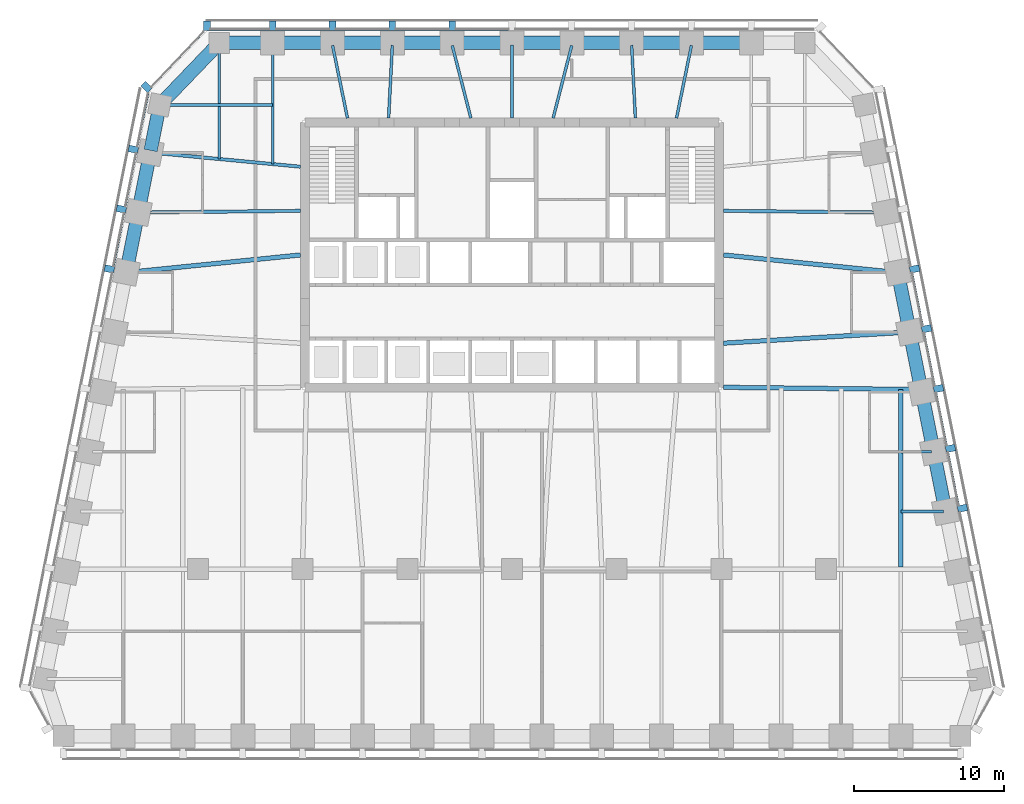
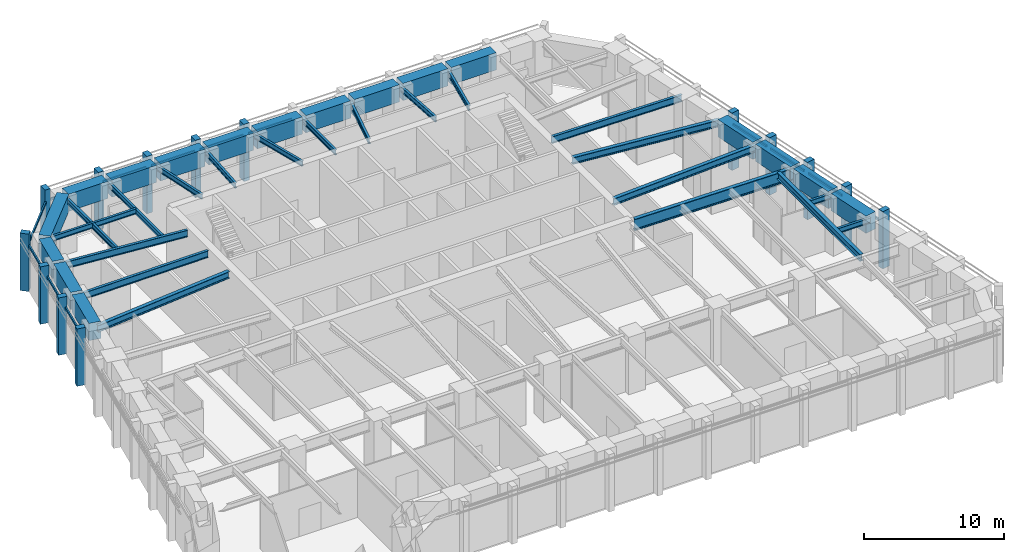
# One storey, part 3 of 11: 37 beams, 27 members, 4 elements without a shape of their own.
"""IFC4 building model written with IfcOpenShell, lengths in metres."""

from ifc_helpers import new_model, si_unit, direction, frame, origin, origin_2d, place, context, subcontext, project, spatial, rectangle, i_section, extrude, material, material_profile, profile_set, type_object, element, aggregate, save


model = new_model("IFC4")

# Units and contexts
model_context = context("Model", 3, precision=1e-05, world=origin(), true_north=direction((0.0, 1.0)))
body_context = subcontext(model_context, "Body", "Model", "MODEL_VIEW")
ifc_project = project(units=[si_unit("LENGTHUNIT", "METRE"), si_unit("AREAUNIT", "SQUARE_METRE"), si_unit("VOLUMEUNIT", "CUBIC_METRE"), si_unit("PLANEANGLEUNIT", "RADIAN"), si_unit("MASSUNIT", "GRAM", prefix="KILO")], contexts=[model_context])

# Site, building, storey
site_placement = place(None, origin())
site = spatial("IfcSite", under=ifc_project, at=site_placement, CompositionType="ELEMENT")
building_placement = place(site_placement, origin())
building = spatial("IfcBuilding", under=site, at=building_placement, Name="Isbrekke Arena Tower", CompositionType="ELEMENT")
storey_placement = place(building_placement, frame((0.0, 0.0, 173.0)))
storey = spatial("IfcBuildingStorey", under=building, at=storey_placement, Name="L39", CompositionType="ELEMENT", Elevation=173.0)

# Beams
ifc_material_1 = material(Name="Steel S355", Category="steel")
ifc_material_profile_1 = material_profile(ifc_material_1, i_section(OverallWidth=0.219970703125, OverallDepth=0.60009765625, WebThickness=0.011962890625, FlangeThickness=0.01904296875, FilletRadius=0.02392578125, at=origin_2d()), Name="IPE 600")
ifc_profile_set_1 = profile_set([ifc_material_profile_1], Name="Steel S355")
beam_type_1 = type_object("IfcBeamType", Name="B1 IPE 600", PredefinedType="BEAM", material=ifc_profile_set_1)
beam_1_placement = place(storey_placement, frame((24.83984375, 17.838134765625, 4.550048828125), z_axis=(-0.999945299061, 0.010459392202, 0.0), x_axis=(-0.010459392202, -0.999945299061, 0.0)))
element("IfcBeam", 1, at=beam_1_placement, inside=storey, type_object=beam_type_1, Name="B1 beam E-E09 L39", PredefinedType="BEAM", context=body_context, shape_type="SweptSolid", body=[
    extrude(i_section(OverallWidth=0.219970703125, OverallDepth=0.60009765625, WebThickness=0.011962890625, FlangeThickness=0.01904296875, FilletRadius=0.02392578125, at=origin_2d()), origin(), (0.0, 0.0, 1.0), 10.6904296875),
])
beam_2_placement = place(storey_placement, frame((-24.03076171875, 21.837158203125, 4.550048828125), z_axis=(0.99553133081, -0.094431823952, 0.0), x_axis=(0.094431823952, 0.99553133081, 0.0)))
element("IfcBeam", 2, at=beam_2_placement, inside=storey, type_object=beam_type_1, Name="B1 beam E-W02 L39", PredefinedType="BEAM", context=body_context, shape_type="SweptSolid", body=[
    extrude(i_section(OverallWidth=0.219970703125, OverallDepth=0.60009765625, WebThickness=0.011962890625, FlangeThickness=0.01904296875, FilletRadius=0.02392578125, at=origin_2d()), origin(), (0.0, 0.0, 1.0), 9.92529296875),
])
beam_3_placement = place(storey_placement, frame((-24.83984375, 17.838134765625, 4.550048828125), z_axis=(0.999945299061, 0.010459392202, 0.0), x_axis=(-0.010459392202, 0.999945299061, 0.0)))
element("IfcBeam", 3, at=beam_3_placement, inside=storey, type_object=beam_type_1, Name="B1 beam E-W03 L39", PredefinedType="BEAM", context=body_context, shape_type="SweptSolid", body=[
    extrude(i_section(OverallWidth=0.219970703125, OverallDepth=0.60009765625, WebThickness=0.011962890625, FlangeThickness=0.01904296875, FilletRadius=0.02392578125, at=origin_2d()), origin(), (0.0, 0.0, 1.0), 10.6904296875),
])
ifc_material_2 = material(Name="Steel S355", Category="steel")
ifc_material_profile_2 = material_profile(ifc_material_2, i_section(OverallWidth=0.18994140625, OverallDepth=0.449951171875, WebThickness=0.009521484375, FlangeThickness=0.0146484375, FilletRadius=0.02099609375, at=origin_2d()), Name="IPE 450")
ifc_profile_set_2 = profile_set([ifc_material_profile_2], Name="Steel S355")
beam_type_2 = type_object("IfcBeamType", Name="B2 IPE 450", PredefinedType="BEAM", material=ifc_profile_set_2)
beam_4_placement = place(storey_placement, frame((28.841064453125, -2.161865234375, 4.625), z_axis=(-1.0, 0.0, 0.0), x_axis=(0.0, -1.0, 0.0)))
element("IfcBeam", 4, at=beam_4_placement, inside=storey, type_object=beam_type_2, Name="B2 beam E-E04 L39", PredefinedType="BEAM", context=body_context, shape_type="SweptSolid", body=[
    extrude(i_section(OverallWidth=0.18994140625, OverallDepth=0.449951171875, WebThickness=0.009521484375, FlangeThickness=0.0146484375, FilletRadius=0.02099609375, at=origin_2d()), origin(), (0.0, 0.0, 1.0), 2.841064453125),
])
beam_5_placement = place(storey_placement, frame((28.041015625, 1.838134765625, 4.625), z_axis=(-1.0, 0.0, 0.0), x_axis=(0.0, -1.0, 0.0)))
element("IfcBeam", 5, at=beam_5_placement, inside=storey, type_object=beam_type_2, Name="B2 beam E-E05 L39", PredefinedType="BEAM", context=body_context, shape_type="SweptSolid", body=[
    extrude(i_section(OverallWidth=0.18994140625, OverallDepth=0.449951171875, WebThickness=0.009521484375, FlangeThickness=0.0146484375, FilletRadius=0.02099609375, at=origin_2d()), origin(), (0.0, 0.0, 1.0), 2.041015625),
])
beam_6_placement = place(storey_placement, frame((-23.40283203125, 25.029296875, 4.625), z_axis=(1.0, 0.0, 0.0), x_axis=(0.0, 1.0, 0.0)))
element("IfcBeam", 6, at=beam_6_placement, inside=storey, type_object=beam_type_2, Name="B2 beam E-W01 L39", PredefinedType="BEAM", context=body_context, shape_type="SweptSolid", body=[
    extrude(i_section(OverallWidth=0.18994140625, OverallDepth=0.449951171875, WebThickness=0.009521484375, FlangeThickness=0.0146484375, FilletRadius=0.02099609375, at=origin_2d()), origin(), (0.0, 0.0, 1.0), 7.40283203125),
])
ifc_material_3 = material(Name="Steel S355", Category="steel")
ifc_material_profile_3 = material_profile(ifc_material_3, i_section(OverallWidth=0.18994140625, OverallDepth=0.449951171875, WebThickness=0.009521484375, FlangeThickness=0.0146484375, FilletRadius=0.02099609375, at=origin_2d()), Name="IPE 450")
ifc_profile_set_3 = profile_set([ifc_material_profile_3], Name="Steel S355")
beam_type_3 = type_object("IfcBeamType", Name="B3 IPE 450", PredefinedType="BEAM", material=ifc_profile_set_3)
beam_7_placement = place(storey_placement, frame((-16.0, 29.02490234375, 4.625), z_axis=(0.0, -1.0, 0.0), x_axis=(1.0, 0.0, 0.0)))
element("IfcBeam", 7, at=beam_7_placement, inside=storey, type_object=beam_type_3, Name="B3 beam N-N10 L39", PredefinedType="BEAM", context=body_context, shape_type="SweptSolid", body=[
    extrude(i_section(OverallWidth=0.18994140625, OverallDepth=0.449951171875, WebThickness=0.009521484375, FlangeThickness=0.0146484375, FilletRadius=0.02099609375, at=origin_2d()), origin(), (0.0, 0.0, 1.0), 7.949462890625),
])
beam_8_placement = place(storey_placement, frame((-19.574951171875, 29.02490234375, 4.625), z_axis=(0.0, -1.0, 0.0), x_axis=(1.0, 0.0, 0.0)))
element("IfcBeam", 8, at=beam_8_placement, inside=storey, type_object=beam_type_3, Name="B3 beam N-N11 L39", PredefinedType="BEAM", context=body_context, shape_type="SweptSolid", body=[
    extrude(i_section(OverallWidth=0.18994140625, OverallDepth=0.449951171875, WebThickness=0.009521484375, FlangeThickness=0.0146484375, FilletRadius=0.02099609375, at=origin_2d()), origin(), (0.0, 0.0, 1.0), 7.6103515625),
])
beam_9_placement = place(storey_placement, frame((11.99609375, 29.00634765625, 4.625), z_axis=(-0.200924755878, -0.979606677435, 0.0), x_axis=(0.979606677435, -0.200924755878, 0.0)))
element("IfcBeam", 9, at=beam_9_placement, inside=storey, type_object=beam_type_3, Name="B3 beam N-N03 L39", PredefinedType="BEAM", context=body_context, shape_type="SweptSolid", body=[
    extrude(i_section(OverallWidth=0.18994140625, OverallDepth=0.449951171875, WebThickness=0.009521484375, FlangeThickness=0.0146484375, FilletRadius=0.02099609375, at=origin_2d()), origin(), (0.0, 0.0, 1.0), 4.95751953125),
])
beam_10_placement = place(storey_placement, frame((8.000244140625, 29.02001953125, 4.625), z_axis=(0.051216032312, -0.998687597817, 0.0), x_axis=(0.998687597817, 0.051216032312, 0.0)))
element("IfcBeam", 10, at=beam_10_placement, inside=storey, type_object=beam_type_3, Name="B3 beam N-N04 L39", PredefinedType="BEAM", context=body_context, shape_type="SweptSolid", body=[
    extrude(i_section(OverallWidth=0.18994140625, OverallDepth=0.449951171875, WebThickness=0.009521484375, FlangeThickness=0.0146484375, FilletRadius=0.02099609375, at=origin_2d()), origin(), (0.0, 0.0, 1.0), 4.87646484375),
])
beam_11_placement = place(storey_placement, frame((3.994140625, 29.002197265625, 4.625), z_axis=(-0.248368314686, -0.968665670012, 0.0), x_axis=(0.968665670012, -0.248368314686, 0.0)))
element("IfcBeam", 11, at=beam_11_placement, inside=storey, type_object=beam_type_3, Name="B3 beam N-N05 L39", PredefinedType="BEAM", context=body_context, shape_type="SweptSolid", body=[
    extrude(i_section(OverallWidth=0.18994140625, OverallDepth=0.449951171875, WebThickness=0.009521484375, FlangeThickness=0.0146484375, FilletRadius=0.02099609375, at=origin_2d()), origin(), (0.0, 0.0, 1.0), 5.00927734375),
])
beam_12_placement = place(storey_placement, frame((0.0, 29.02490234375, 4.625), z_axis=(0.0, -1.0, 0.0), x_axis=(1.0, 0.0, 0.0)))
element("IfcBeam", 12, at=beam_12_placement, inside=storey, type_object=beam_type_3, Name="B3 beam N-N06 L39", PredefinedType="BEAM", context=body_context, shape_type="SweptSolid", body=[
    extrude(i_section(OverallWidth=0.18994140625, OverallDepth=0.449951171875, WebThickness=0.009521484375, FlangeThickness=0.0146484375, FilletRadius=0.02099609375, at=origin_2d()), origin(), (0.0, 0.0, 1.0), 4.875),
])
beam_13_placement = place(storey_placement, frame((-3.994140625, 29.002197265625, 4.625), z_axis=(0.248368314686, -0.968665670012, 0.0), x_axis=(0.968665670012, 0.248368314686, 0.0)))
element("IfcBeam", 13, at=beam_13_placement, inside=storey, type_object=beam_type_3, Name="B3 beam N-N07 L39", PredefinedType="BEAM", context=body_context, shape_type="SweptSolid", body=[
    extrude(i_section(OverallWidth=0.18994140625, OverallDepth=0.449951171875, WebThickness=0.009521484375, FlangeThickness=0.0146484375, FilletRadius=0.02099609375, at=origin_2d()), origin(), (0.0, 0.0, 1.0), 5.00927734375),
])
beam_14_placement = place(storey_placement, frame((-8.000244140625, 29.02001953125, 4.625), z_axis=(-0.051216032312, -0.998687597817, 0.0), x_axis=(0.998687597817, -0.051216032312, 0.0)))
element("IfcBeam", 14, at=beam_14_placement, inside=storey, type_object=beam_type_3, Name="B3 beam N-N08 L39", PredefinedType="BEAM", context=body_context, shape_type="SweptSolid", body=[
    extrude(i_section(OverallWidth=0.18994140625, OverallDepth=0.449951171875, WebThickness=0.009521484375, FlangeThickness=0.0146484375, FilletRadius=0.02099609375, at=origin_2d()), origin(), (0.0, 0.0, 1.0), 4.87646484375),
])
beam_15_placement = place(storey_placement, frame((-11.99609375, 29.00634765625, 4.625), z_axis=(0.200924755878, -0.979606677435, 0.0), x_axis=(0.979606677435, 0.200924755878, 0.0)))
element("IfcBeam", 15, at=beam_15_placement, inside=storey, type_object=beam_type_3, Name="B3 beam N-N09 L39", PredefinedType="BEAM", context=body_context, shape_type="SweptSolid", body=[
    extrude(i_section(OverallWidth=0.18994140625, OverallDepth=0.449951171875, WebThickness=0.009521484375, FlangeThickness=0.0146484375, FilletRadius=0.02099609375, at=origin_2d()), origin(), (0.0, 0.0, 1.0), 4.95751953125),
])
ifc_material_4 = material(Name="Steel S355", Category="steel")
ifc_material_profile_4 = material_profile(ifc_material_4, i_section(OverallWidth=0.300048828125, OverallDepth=0.60009765625, WebThickness=0.015380859375, FlangeThickness=0.030029296875, FilletRadius=0.027099609375, at=origin_2d()), Name="HEB 600")
ifc_profile_set_4 = profile_set([ifc_material_profile_4], Name="Steel S355")
beam_type_4 = type_object("IfcBeamType", Name="B7 HEB 600", PredefinedType="BEAM", material=ifc_profile_set_4)
beam_16_placement = place(storey_placement, frame((26.0, -5.84912109375, 4.550048828125), z_axis=(0.0, 1.0, 0.0), x_axis=(-1.0, 0.0, 0.0)))
element("IfcBeam", 16, at=beam_16_placement, inside=storey, type_object=beam_type_4, Name="B7 beam C-M14 L39", PredefinedType="BEAM", context=body_context, shape_type="SweptSolid", body=[
    extrude(i_section(OverallWidth=0.300048828125, OverallDepth=0.60009765625, WebThickness=0.015380859375, FlangeThickness=0.030029296875, FilletRadius=0.027099609375, at=origin_2d()), origin(), (0.0, 0.0, 1.0), 11.864990234375),
])
beam_17_placement = place(storey_placement, frame((26.43212890625, 9.837646484375, 4.550048828125), z_axis=(-0.998201854902, -0.059942112659, 0.0), x_axis=(0.059942112659, -0.998201854902, 0.0)))
element("IfcBeam", 17, at=beam_17_placement, inside=storey, type_object=beam_type_4, Name="B7 beam E-E07 L39", PredefinedType="BEAM", context=body_context, shape_type="SweptSolid", body=[
    extrude(i_section(OverallWidth=0.300048828125, OverallDepth=0.60009765625, WebThickness=0.015380859375, FlangeThickness=0.030029296875, FilletRadius=0.027099609375, at=origin_2d()), origin(), (0.0, 0.0, 1.0), 12.304443359375),
])
for number, where, z_axis, x_axis, name in (
    (18, (25.6259765625, 13.83984375, 4.550048828125), (-0.994928891111, 0.100580821396, 0.0), (-0.100580821396, -0.994928891111, 0.0), "B7 beam E-E08 L39"),
    (19, (-25.6259765625, 13.83984375, 4.550048828125), (0.994928891111, 0.100580821396, 0.0), (-0.100580821396, 0.994928891111, 0.0), "B7 beam E-W04 L39"),
):
    element("IfcBeam", number, at=place(storey_placement, frame(where, z_axis=z_axis, x_axis=x_axis)), inside=storey, type_object=beam_type_4, Name=name, PredefinedType="BEAM", context=body_context, shape_type="SweptSolid", body=[
        extrude(i_section(OverallWidth=0.300048828125, OverallDepth=0.60009765625, WebThickness=0.015380859375, FlangeThickness=0.030029296875, FilletRadius=0.027099609375, at=origin_2d()), origin(), (0.0, 0.0, 1.0), 11.53466796875),
    ])

# Curtain wall, members
ifc_material_5 = material(Name="Glazed aluminium curtain wall", Category="aluminium")
curtain_wall_type = type_object("IfcCurtainWallType", Name="CWS SKY LOBBY CURTAIN WALL", PredefinedType="USERDEFINED", material=ifc_material_5)
curtain_wall_1_placement = place(storey_placement, origin())
curtain_wall_1 = element("IfcCurtainWall", 20, at=curtain_wall_1_placement, inside=storey, type_object=curtain_wall_type, Name="CWS curtain wall L39-E", ObjectType="SKY LOBBY CURTAIN WALL", PredefinedType="USERDEFINED")
ifc_material_6 = material(Name="Aluminium mullion, pale brick slip cladding", Category="masonry")
ifc_material_profile_5 = material_profile(ifc_material_6, rectangle(XDim=0.449951171875, YDim=0.64990234375, at=origin_2d()), Name="PIER 450X650")
ifc_profile_set_5 = profile_set([ifc_material_profile_5], Name="Aluminium mullion, pale brick slip cladding")
member_type_1 = type_object("IfcMemberType", Name="CWS-M PIER MULLION 450 x 650", PredefinedType="MULLION", material=ifc_profile_set_5)
member_1_placement = place(storey_placement, frame((30.11865234375, -1.936279296875, 0.0), z_axis=(0.0, 0.0, 1.0), x_axis=(-0.196116135138, 0.980580675691, 0.0)))
member_1 = element("IfcMember", 21, at=member_1_placement, type_object=member_type_1, Name="CWS-M mullion 3", PredefinedType="MULLION", context=body_context, shape_type="SweptSolid", body=[
    extrude(rectangle(XDim=0.449951171875, YDim=0.64990234375, at=origin_2d()), origin(), (0.0, 0.0, 1.0), 5.0),
])
member_2_placement = place(storey_placement, frame((29.318603515625, 2.063720703125, 0.0), z_axis=(0.0, 0.0, 1.0), x_axis=(-0.196116135138, 0.980580675691, 0.0)))
member_2 = element("IfcMember", 22, at=member_2_placement, type_object=member_type_1, Name="CWS-M mullion 4", PredefinedType="MULLION", context=body_context, shape_type="SweptSolid", body=[
    extrude(rectangle(XDim=0.449951171875, YDim=0.64990234375, at=origin_2d()), origin(), (0.0, 0.0, 1.0), 5.0),
])
member_3_placement = place(storey_placement, frame((28.518798828125, 6.063720703125, 0.0), z_axis=(0.0, 0.0, 1.0), x_axis=(-0.196116135138, 0.980580675691, 0.0)))
member_3 = element("IfcMember", 23, at=member_3_placement, type_object=member_type_1, Name="CWS-M mullion 5", PredefinedType="MULLION", context=body_context, shape_type="SweptSolid", body=[
    extrude(rectangle(XDim=0.449951171875, YDim=0.64990234375, at=origin_2d()), origin(), (0.0, 0.0, 1.0), 5.0),
])
member_4_placement = place(storey_placement, frame((27.71875, 10.063720703125, 0.0), z_axis=(0.0, 0.0, 1.0), x_axis=(-0.196116135138, 0.980580675691, 0.0)))
member_4 = element("IfcMember", 24, at=member_4_placement, type_object=member_type_1, Name="CWS-M mullion 6", PredefinedType="MULLION", context=body_context, shape_type="SweptSolid", body=[
    extrude(rectangle(XDim=0.449951171875, YDim=0.64990234375, at=origin_2d()), origin(), (0.0, 0.0, 1.0), 5.0),
])
member_5_placement = place(storey_placement, frame((26.918701171875, 14.063720703125, 0.0), z_axis=(0.0, 0.0, 1.0), x_axis=(-0.196116135138, 0.980580675691, 0.0)))
member_5 = element("IfcMember", 25, at=member_5_placement, type_object=member_type_1, Name="CWS-M mullion 7", PredefinedType="MULLION", context=body_context, shape_type="SweptSolid", body=[
    extrude(rectangle(XDim=0.449951171875, YDim=0.64990234375, at=origin_2d()), origin(), (0.0, 0.0, 1.0), 5.0),
])

curtain_wall_2_placement = place(storey_placement, origin())
curtain_wall_2 = element("IfcCurtainWall", 26, at=curtain_wall_2_placement, inside=storey, type_object=curtain_wall_type, Name="CWS curtain wall L39-N", ObjectType="SKY LOBBY CURTAIN WALL", PredefinedType="USERDEFINED")
member_6_placement = place(storey_placement, frame((-4.0, 30.324951171875, 0.0), z_axis=(0.0, 0.0, 1.0), x_axis=(-1.0, 0.0, 0.0)))
member_6 = element("IfcMember", 27, at=member_6_placement, type_object=member_type_1, Name="CWS-M mullion 6", PredefinedType="MULLION", context=body_context, shape_type="SweptSolid", body=[
    extrude(rectangle(XDim=0.449951171875, YDim=0.64990234375, at=origin_2d()), origin(), (0.0, 0.0, 1.0), 5.0),
])
member_7_placement = place(storey_placement, frame((-8.0, 30.324951171875, 0.0), z_axis=(0.0, 0.0, 1.0), x_axis=(-1.0, 0.0, 0.0)))
member_7 = element("IfcMember", 28, at=member_7_placement, type_object=member_type_1, Name="CWS-M mullion 7", PredefinedType="MULLION", context=body_context, shape_type="SweptSolid", body=[
    extrude(rectangle(XDim=0.449951171875, YDim=0.64990234375, at=origin_2d()), origin(), (0.0, 0.0, 1.0), 5.0),
])
member_8_placement = place(storey_placement, frame((-12.0, 30.324951171875, 0.0), z_axis=(0.0, 0.0, 1.0), x_axis=(-1.0, 0.0, 0.0)))
member_8 = element("IfcMember", 29, at=member_8_placement, type_object=member_type_1, Name="CWS-M mullion 8", PredefinedType="MULLION", context=body_context, shape_type="SweptSolid", body=[
    extrude(rectangle(XDim=0.449951171875, YDim=0.64990234375, at=origin_2d()), origin(), (0.0, 0.0, 1.0), 5.0),
])
member_9_placement = place(storey_placement, frame((-16.0, 30.324951171875, 0.0), z_axis=(0.0, 0.0, 1.0), x_axis=(-1.0, 0.0, 0.0)))
member_9 = element("IfcMember", 30, at=member_9_placement, type_object=member_type_1, Name="CWS-M mullion 9", PredefinedType="MULLION", context=body_context, shape_type="SweptSolid", body=[
    extrude(rectangle(XDim=0.449951171875, YDim=0.64990234375, at=origin_2d()), origin(), (0.0, 0.0, 1.0), 5.0),
])
member_10_placement = place(storey_placement, frame((-20.39990234375, 30.324951171875, 0.0), z_axis=(0.0, 0.0, 1.0), x_axis=(-1.0, 0.0, 0.0)))
member_10 = element("IfcMember", 31, at=member_10_placement, type_object=member_type_1, Name="CWS-M mullion 10", PredefinedType="MULLION", context=body_context, shape_type="SweptSolid", body=[
    extrude(rectangle(XDim=0.449951171875, YDim=0.64990234375, at=origin_2d()), origin(), (0.0, 0.0, 1.0), 5.0),
])

# Curtain wall, member
curtain_wall_3_placement = place(storey_placement, origin())
curtain_wall_3 = element("IfcCurtainWall", 32, at=curtain_wall_3_placement, inside=storey, type_object=curtain_wall_type, Name="CWS curtain wall L39-NW", ObjectType="SKY LOBBY CURTAIN WALL", PredefinedType="USERDEFINED")
member_11_placement = place(storey_placement, frame((-24.435546875, 26.223876953125, 0.0), z_axis=(0.0, 0.0, 1.0), x_axis=(-0.68874946192, -0.72499943359, 0.0)))
member_11 = element("IfcMember", 33, at=member_11_placement, type_object=member_type_1, Name="CWS-M mullion 1", PredefinedType="MULLION", context=body_context, shape_type="SweptSolid", body=[
    extrude(rectangle(XDim=0.449951171875, YDim=0.64990234375, at=origin_2d()), origin(), (0.0, 0.0, 1.0), 5.0),
])

# Curtain wall, members
curtain_wall_4_placement = place(storey_placement, origin())
curtain_wall_4 = element("IfcCurtainWall", 34, at=curtain_wall_4_placement, inside=storey, type_object=curtain_wall_type, Name="CWS curtain wall L39-W", ObjectType="SKY LOBBY CURTAIN WALL", PredefinedType="USERDEFINED")
member_12_placement = place(storey_placement, frame((-25.318603515625, 22.063720703125, 0.0), z_axis=(0.0, 0.0, 1.0), x_axis=(-0.196116135138, -0.980580675691, 0.0)))
member_12 = element("IfcMember", 35, at=member_12_placement, type_object=member_type_1, Name="CWS-M mullion 1", PredefinedType="MULLION", context=body_context, shape_type="SweptSolid", body=[
    extrude(rectangle(XDim=0.449951171875, YDim=0.64990234375, at=origin_2d()), origin(), (0.0, 0.0, 1.0), 5.0),
])
member_13_placement = place(storey_placement, frame((-26.11865234375, 18.063720703125, 0.0), z_axis=(0.0, 0.0, 1.0), x_axis=(-0.196116135138, -0.980580675691, 0.0)))
member_13 = element("IfcMember", 36, at=member_13_placement, type_object=member_type_1, Name="CWS-M mullion 2", PredefinedType="MULLION", context=body_context, shape_type="SweptSolid", body=[
    extrude(rectangle(XDim=0.449951171875, YDim=0.64990234375, at=origin_2d()), origin(), (0.0, 0.0, 1.0), 5.0),
])
member_14_placement = place(storey_placement, frame((-26.918701171875, 14.063720703125, 0.0), z_axis=(0.0, 0.0, 1.0), x_axis=(-0.196116135138, -0.980580675691, 0.0)))
member_14 = element("IfcMember", 37, at=member_14_placement, type_object=member_type_1, Name="CWS-M mullion 3", PredefinedType="MULLION", context=body_context, shape_type="SweptSolid", body=[
    extrude(rectangle(XDim=0.449951171875, YDim=0.64990234375, at=origin_2d()), origin(), (0.0, 0.0, 1.0), 5.0),
])

# Member
ifc_material_7 = material(Name="Aluminium transom", Category="aluminium")
ifc_material_profile_6 = material_profile(ifc_material_7, rectangle(XDim=0.1201171875, YDim=0.199951171875, at=origin_2d()), Name="TRANSOM 120X200")
ifc_profile_set_6 = profile_set([ifc_material_profile_6], Name="Aluminium transom")
member_type_2 = type_object("IfcMemberType", Name="CWS-T TRANSOM 120 x 200", PredefinedType="USERDEFINED", material=ifc_profile_set_6)
member_15_placement = place(storey_placement, frame((29.85400390625, -1.759765625, 4.0), z_axis=(-0.196154943734, 0.980572913173, 0.0), x_axis=(-0.980572913173, -0.196154943734, 0.0)))
member_15 = element("IfcMember", 38, at=member_15_placement, type_object=member_type_2, Name="CWS-T transom 4", ObjectType="TRANSOM", PredefinedType="USERDEFINED", context=body_context, shape_type="SweptSolid", body=[
    extrude(rectangle(XDim=0.1201171875, YDim=0.199951171875, at=origin_2d()), origin(), (0.0, 0.0, 1.0), 3.62939453125),
])

member_16_placement = place(storey_placement, frame((29.053955078125, 2.240234375, 4.0), z_axis=(-0.196090262229, 0.980585849918, 0.0), x_axis=(-0.980585849918, -0.196090262229, 0.0)))
member_16 = element("IfcMember", 39, at=member_16_placement, type_object=member_type_2, Name="CWS-T transom 5", ObjectType="TRANSOM", PredefinedType="USERDEFINED", context=body_context, shape_type="SweptSolid", body=[
    extrude(rectangle(XDim=0.1201171875, YDim=0.199951171875, at=origin_2d()), origin(), (0.0, 0.0, 1.0), 3.62939453125),
])

member_17_placement = place(storey_placement, frame((28.25390625, 6.240234375, 4.0), z_axis=(-0.196090262229, 0.980585849918, 0.0), x_axis=(-0.980585849918, -0.196090262229, 0.0)))
member_17 = element("IfcMember", 40, at=member_17_placement, type_object=member_type_2, Name="CWS-T transom 6", ObjectType="TRANSOM", PredefinedType="USERDEFINED", context=body_context, shape_type="SweptSolid", body=[
    extrude(rectangle(XDim=0.1201171875, YDim=0.199951171875, at=origin_2d()), origin(), (0.0, 0.0, 1.0), 3.62939453125),
])

member_18_placement = place(storey_placement, frame((27.453857421875, 10.240234375, 4.0), z_axis=(-0.196090262229, 0.980585849918, 0.0), x_axis=(-0.980585849918, -0.196090262229, 0.0)))
member_18 = element("IfcMember", 41, at=member_18_placement, type_object=member_type_2, Name="CWS-T transom 7", ObjectType="TRANSOM", PredefinedType="USERDEFINED", context=body_context, shape_type="SweptSolid", body=[
    extrude(rectangle(XDim=0.1201171875, YDim=0.199951171875, at=origin_2d()), origin(), (0.0, 0.0, 1.0), 3.62939453125),
])

aggregate(curtain_wall_1, [member_1, member_2, member_3, member_4, member_5, member_15, member_16, member_17, member_18])

member_19_placement = place(storey_placement, frame((-0.22509765625, 30.10009765625, 4.0), z_axis=(-1.0, 0.0, 0.0), x_axis=(0.0, -1.0, 0.0)))
member_19 = element("IfcMember", 42, at=member_19_placement, type_object=member_type_2, Name="CWS-T transom 6", ObjectType="TRANSOM", PredefinedType="USERDEFINED", context=body_context, shape_type="SweptSolid", body=[
    extrude(rectangle(XDim=0.1201171875, YDim=0.199951171875, at=origin_2d()), origin(), (0.0, 0.0, 1.0), 3.5498046875),
])

member_20_placement = place(storey_placement, frame((-4.22509765625, 30.10009765625, 4.0), z_axis=(-1.0, 0.0, 0.0), x_axis=(0.0, -1.0, 0.0)))
member_20 = element("IfcMember", 43, at=member_20_placement, type_object=member_type_2, Name="CWS-T transom 7", ObjectType="TRANSOM", PredefinedType="USERDEFINED", context=body_context, shape_type="SweptSolid", body=[
    extrude(rectangle(XDim=0.1201171875, YDim=0.199951171875, at=origin_2d()), origin(), (0.0, 0.0, 1.0), 3.5498046875),
])

member_21_placement = place(storey_placement, frame((-8.22509765625, 30.10009765625, 4.0), z_axis=(-1.0, 0.0, 0.0), x_axis=(0.0, -1.0, 0.0)))
member_21 = element("IfcMember", 44, at=member_21_placement, type_object=member_type_2, Name="CWS-T transom 8", ObjectType="TRANSOM", PredefinedType="USERDEFINED", context=body_context, shape_type="SweptSolid", body=[
    extrude(rectangle(XDim=0.1201171875, YDim=0.199951171875, at=origin_2d()), origin(), (0.0, 0.0, 1.0), 3.5498046875),
])

member_22_placement = place(storey_placement, frame((-12.22509765625, 30.10009765625, 4.0), z_axis=(-1.0, 0.0, 0.0), x_axis=(0.0, -1.0, 0.0)))
member_22 = element("IfcMember", 45, at=member_22_placement, type_object=member_type_2, Name="CWS-T transom 9", ObjectType="TRANSOM", PredefinedType="USERDEFINED", context=body_context, shape_type="SweptSolid", body=[
    extrude(rectangle(XDim=0.1201171875, YDim=0.199951171875, at=origin_2d()), origin(), (0.0, 0.0, 1.0), 3.5498046875),
])

member_23_placement = place(storey_placement, frame((-16.22509765625, 30.10009765625, 4.0), z_axis=(-1.0, 0.0, 0.0), x_axis=(0.0, -1.0, 0.0)))
member_23 = element("IfcMember", 46, at=member_23_placement, type_object=member_type_2, Name="CWS-T transom 10", ObjectType="TRANSOM", PredefinedType="USERDEFINED", context=body_context, shape_type="SweptSolid", body=[
    extrude(rectangle(XDim=0.1201171875, YDim=0.199951171875, at=origin_2d()), origin(), (0.0, 0.0, 1.0), 3.949951171875),
])

aggregate(curtain_wall_2, [member_6, member_7, member_8, member_9, member_10, member_19, member_20, member_21, member_22, member_23])

member_24_placement = place(storey_placement, frame((-20.62744140625, 29.90576171875, 4.0), z_axis=(-0.688734266994, -0.725013868466, 0.0), x_axis=(0.725013868466, -0.688734266994, 0.0)))
member_24 = element("IfcMember", 47, at=member_24_placement, type_object=member_type_2, Name="CWS-T transom 1", ObjectType="TRANSOM", PredefinedType="USERDEFINED", context=body_context, shape_type="SweptSolid", body=[
    extrude(rectangle(XDim=0.1201171875, YDim=0.199951171875, at=origin_2d()), origin(), (0.0, 0.0, 1.0), 5.067138671875),
])

aggregate(curtain_wall_3, [member_11, member_24])

member_25_placement = place(storey_placement, frame((-24.34228515625, 25.799072265625, 4.0), z_axis=(-0.196090262229, -0.980585849918, 0.0), x_axis=(0.980585849918, -0.196090262229, 0.0)))
member_25 = element("IfcMember", 48, at=member_25_placement, type_object=member_type_2, Name="CWS-T transom 1", ObjectType="TRANSOM", PredefinedType="USERDEFINED", context=body_context, shape_type="SweptSolid", body=[
    extrude(rectangle(XDim=0.1201171875, YDim=0.199951171875, at=origin_2d()), origin(), (0.0, 0.0, 1.0), 3.62939453125),
])

member_26_placement = place(storey_placement, frame((-25.14208984375, 21.799072265625, 4.0), z_axis=(-0.196154943734, -0.980572913173, 0.0), x_axis=(0.980572913173, -0.196154943734, 0.0)))
member_26 = element("IfcMember", 49, at=member_26_placement, type_object=member_type_2, Name="CWS-T transom 2", ObjectType="TRANSOM", PredefinedType="USERDEFINED", context=body_context, shape_type="SweptSolid", body=[
    extrude(rectangle(XDim=0.1201171875, YDim=0.199951171875, at=origin_2d()), origin(), (0.0, 0.0, 1.0), 3.62939453125),
])

member_27_placement = place(storey_placement, frame((-25.942138671875, 17.799072265625, 4.0), z_axis=(-0.196154943734, -0.980572913173, 0.0), x_axis=(0.980572913173, -0.196154943734, 0.0)))
member_27 = element("IfcMember", 50, at=member_27_placement, type_object=member_type_2, Name="CWS-T transom 3", ObjectType="TRANSOM", PredefinedType="USERDEFINED", context=body_context, shape_type="SweptSolid", body=[
    extrude(rectangle(XDim=0.1201171875, YDim=0.199951171875, at=origin_2d()), origin(), (0.0, 0.0, 1.0), 3.62939453125),
])

aggregate(curtain_wall_4, [member_12, member_13, member_14, member_25, member_26, member_27])

# Beams
ifc_material_8 = material(Name="Steel S355", Category="steel")
ifc_material_profile_7 = material_profile(ifc_material_8, i_section(OverallWidth=0.302001953125, OverallDepth=1.008056640625, WebThickness=0.02099609375, FlangeThickness=0.0400390625, FilletRadius=0.030029296875, at=origin_2d()), Name="HEM 1000")
ifc_profile_set_7 = profile_set([ifc_material_profile_7], Name="Steel S355")
beam_type_5 = type_object("IfcBeamType", Name="G2 HEM 1000", PredefinedType="BEAM", material=ifc_profile_set_7)
beam_18_placement = place(storey_placement, frame((14.14990234375, 6.14990234375, 4.345947265625), z_axis=(0.999935908299, -0.011321629528, 0.0), x_axis=(0.011321629528, 0.999935908299, 0.0)))
element("IfcBeam", 51, at=beam_18_placement, inside=storey, type_object=beam_type_5, Name="G2 beam G2-E L39", PredefinedType="BEAM", context=body_context, shape_type="SweptSolid", body=[
    extrude(i_section(OverallWidth=0.302001953125, OverallDepth=1.008056640625, WebThickness=0.02099609375, FlangeThickness=0.0400390625, FilletRadius=0.030029296875, at=origin_2d()), origin(), (0.0, 0.0, 1.0), 13.240234375),
])
ifc_material_9 = material(Name="Concrete B65 (C65/80)", Category="concrete")
ifc_material_profile_8 = material_profile(ifc_material_9, rectangle(XDim=0.89990234375, YDim=1.5, at=origin_2d()), Name="RC 900x1500")
ifc_profile_set_8 = profile_set([ifc_material_profile_8], Name="Concrete B65 (C65/80)")
beam_type_6 = type_object("IfcBeamType", Name="SB3 RC 900 x 1500", PredefinedType="SPANDREL", material=ifc_profile_set_8)
for number, where, z_axis, x_axis, name in (
    (52, (28.961669921875, -2.0146484375, 4.25), (-0.196128558387, 0.980578190959, 0.0), (-0.980578190959, -0.196128558387, 0.0), "SB3 spandrel E04-E05 L39"),
    (53, (28.16162109375, 1.9853515625, 4.25), (-0.196128558387, 0.980578190959, 0.0), (-0.980578190959, -0.196128558387, 0.0), "SB3 spandrel E05-E06 L39"),
    (54, (27.361572265625, 5.9853515625, 4.25), (-0.196128558387, 0.980578190959, 0.0), (-0.980578190959, -0.196128558387, 0.0), "SB3 spandrel E06-E07 L39"),
):
    element("IfcBeam", number, at=place(storey_placement, frame(where, z_axis=z_axis, x_axis=x_axis)), inside=storey, type_object=beam_type_6, Name=name, PredefinedType="SPANDREL", context=body_context, shape_type="SweptSolid", body=[
        extrude(rectangle(XDim=0.89990234375, YDim=1.5, at=origin_2d()), origin(), (0.0, 0.0, 1.0), 3.779296875),
    ])
beam_19_placement = place(storey_placement, frame((26.5615234375, 9.9853515625, 4.25), z_axis=(-0.1960664412, 0.980590613169, 0.0), x_axis=(-0.980590613169, -0.1960664412, 0.0)))
element("IfcBeam", 55, at=beam_19_placement, inside=storey, type_object=beam_type_6, Name="SB3 spandrel E07-E08 L39", PredefinedType="SPANDREL", context=body_context, shape_type="SweptSolid", body=[
    extrude(rectangle(XDim=0.89990234375, YDim=1.5, at=origin_2d()), origin(), (0.0, 0.0, 1.0), 3.779052734375),
])
for number, where, z_axis, x_axis, name in (
    (56, (15.85009765625, 29.175048828125, 4.25), (-1.0, 0.0, 0.0), (0.0, -1.0, 0.0), "SB3 spandrel N02-N03 L39"),
    (57, (11.85009765625, 29.175048828125, 4.25), (-1.0, 0.0, 0.0), (0.0, -1.0, 0.0), "SB3 spandrel N03-N04 L39"),
    (58, (7.85009765625, 29.175048828125, 4.25), (-1.0, 0.0, 0.0), (0.0, -1.0, 0.0), "SB3 spandrel N04-N05 L39"),
    (59, (3.85009765625, 29.175048828125, 4.25), (-1.0, 0.0, 0.0), (0.0, -1.0, 0.0), "SB3 spandrel N05-N06 L39"),
    (60, (-0.14990234375, 29.175048828125, 4.25), (-1.0, 0.0, 0.0), (0.0, -1.0, 0.0), "SB3 spandrel N06-N07 L39"),
    (61, (-4.14990234375, 29.175048828125, 4.25), (-1.0, 0.0, 0.0), (0.0, -1.0, 0.0), "SB3 spandrel N07-N08 L39"),
    (62, (-8.14990234375, 29.175048828125, 4.25), (-1.0, 0.0, 0.0), (0.0, -1.0, 0.0), "SB3 spandrel N08-N09 L39"),
    (63, (-12.14990234375, 29.175048828125, 4.25), (-1.0, 0.0, 0.0), (0.0, -1.0, 0.0), "SB3 spandrel N09-N10 L39"),
):
    element("IfcBeam", number, at=place(storey_placement, frame(where, z_axis=z_axis, x_axis=x_axis)), inside=storey, type_object=beam_type_6, Name=name, PredefinedType="SPANDREL", context=body_context, shape_type="SweptSolid", body=[
        extrude(rectangle(XDim=0.89990234375, YDim=1.5, at=origin_2d()), origin(), (0.0, 0.0, 1.0), 3.7001953125),
    ])
beam_20_placement = place(storey_placement, frame((-16.14990234375, 29.175048828125, 4.25), z_axis=(-1.0, 0.0, 0.0), x_axis=(0.0, -1.0, 0.0)))
element("IfcBeam", 64, at=beam_20_placement, inside=storey, type_object=beam_type_6, Name="SB3 spandrel N10-N11 L39", PredefinedType="SPANDREL", context=body_context, shape_type="SweptSolid", body=[
    extrude(rectangle(XDim=0.89990234375, YDim=1.5, at=origin_2d()), origin(), (0.0, 0.0, 1.0), 3.275146484375),
])
beam_21_placement = place(storey_placement, frame((-19.678955078125, 29.066650390625, 4.25), z_axis=(-0.692339547635, -0.721571861134, 0.0), x_axis=(0.721571861134, -0.692339547635, 0.0)))
element("IfcBeam", 65, at=beam_21_placement, inside=storey, type_object=beam_type_6, Name="SB3 spandrel N11-W01 L39", PredefinedType="SPANDREL", context=body_context, shape_type="SweptSolid", body=[
    extrude(rectangle(XDim=0.89990234375, YDim=1.5, at=origin_2d()), origin(), (0.0, 0.0, 1.0), 5.4453125),
])
beam_22_placement = place(storey_placement, frame((-23.582275390625, 24.882080078125, 4.25), z_axis=(-0.196116135138, -0.980580675691, 0.0), x_axis=(0.980580675691, -0.196116135138, 0.0)))
element("IfcBeam", 66, at=beam_22_placement, inside=storey, type_object=beam_type_6, Name="SB3 spandrel W01-W02 L39", PredefinedType="SPANDREL", context=body_context, shape_type="SweptSolid", body=[
    extrude(rectangle(XDim=0.89990234375, YDim=1.5, at=origin_2d()), origin(), (0.0, 0.0, 1.0), 2.9541015625),
])
for number, where, z_axis, x_axis, name in (
    (67, (-24.220458984375, 21.691162109375, 4.25), (-0.196128558387, -0.980578190959, 0.0), (0.980578190959, -0.196128558387, 0.0), "SB3 spandrel W02-W03 L39"),
    (68, (-25.0205078125, 17.691162109375, 4.25), (-0.196128558387, -0.980578190959, 0.0), (0.980578190959, -0.196128558387, 0.0), "SB3 spandrel W03-W04 L39"),
):
    element("IfcBeam", number, at=place(storey_placement, frame(where, z_axis=z_axis, x_axis=x_axis)), inside=storey, type_object=beam_type_6, Name=name, PredefinedType="SPANDREL", context=body_context, shape_type="SweptSolid", body=[
        extrude(rectangle(XDim=0.89990234375, YDim=1.5, at=origin_2d()), origin(), (0.0, 0.0, 1.0), 3.779296875),
    ])

save(model, "model.ifc")
